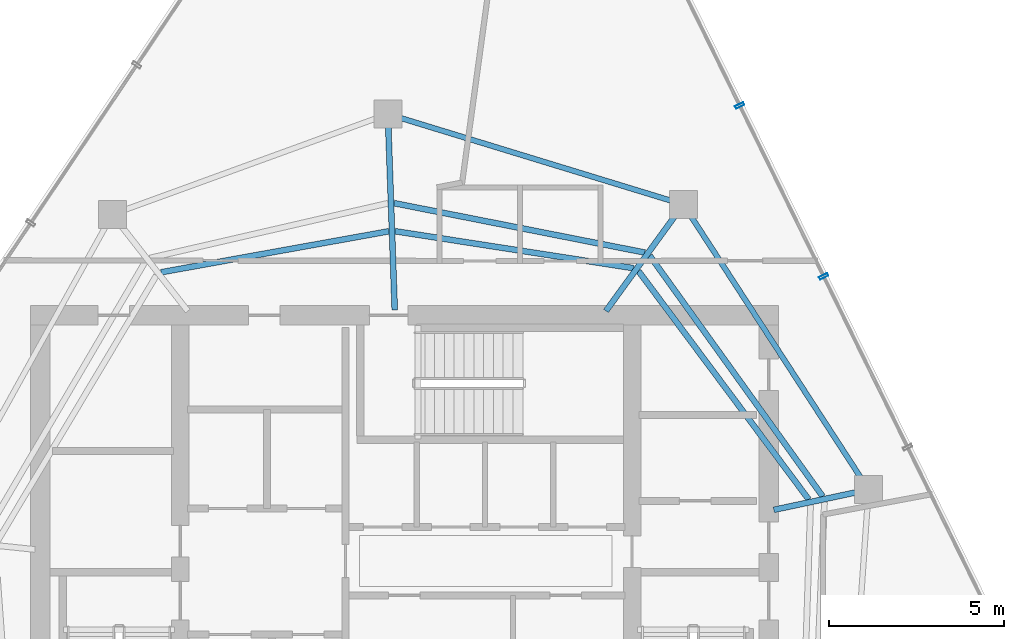
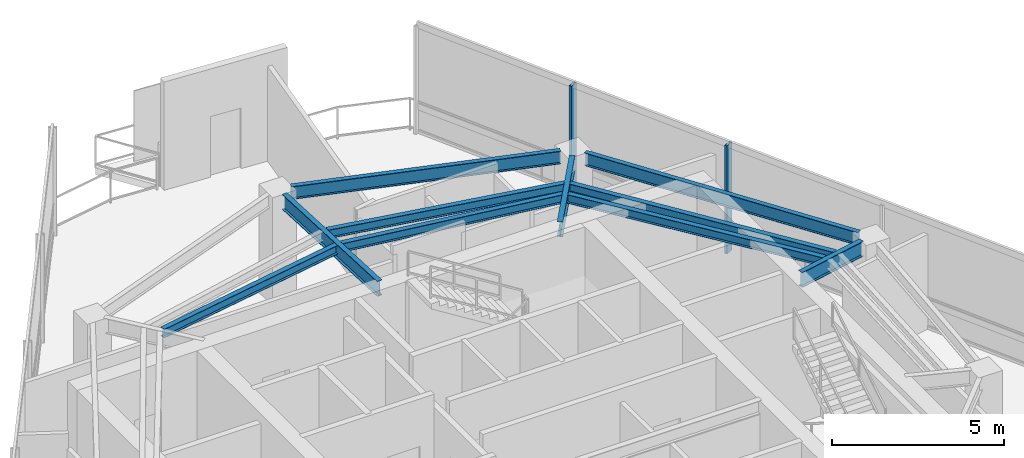
# One storey, part 9 of 18: 10 beams, 2 members, 1 element without a shape of its own.
"""IFC4 building model written with IfcOpenShell, lengths in metres."""

from ifc_helpers import new_model, si_unit, direction, frame, origin, origin_2d, place, context, subcontext, project, spatial, hollow_rectangle, i_section, extrude, material, layer, layer_set, material_profile, profile_set, type_object, element, aggregate, save


model = new_model("IFC4")

# Units and contexts
model_context = context("Model", 3, precision=1e-05, world=origin(), true_north=direction((0.0, 1.0)))
body_context = subcontext(model_context, "Body", "Model", "MODEL_VIEW")
ifc_project = project(units=[si_unit("LENGTHUNIT", "METRE"), si_unit("AREAUNIT", "SQUARE_METRE"), si_unit("VOLUMEUNIT", "CUBIC_METRE"), si_unit("PLANEANGLEUNIT", "RADIAN"), si_unit("MASSUNIT", "GRAM", prefix="KILO")], contexts=[model_context])

# Site, building, storey
site_placement = place(None, origin())
site = spatial("IfcSite", under=ifc_project, at=site_placement, CompositionType="ELEMENT")
building_placement = place(site_placement, origin())
building = spatial("IfcBuilding", under=site, at=building_placement, Name="Qarnah Convention Tower", CompositionType="ELEMENT")
storey_placement = place(building_placement, frame((0.0, 0.0, 279.300048828125)))
storey = spatial("IfcBuildingStorey", under=building, at=storey_placement, Name="L75", CompositionType="ELEMENT", Elevation=279.300048828125)

# Beams
ifc_material_1 = material(Name="Structural steel S355JR", Category="steel")
ifc_material_profile_1 = material_profile(ifc_material_1, i_section(OverallWidth=0.166015625, OverallDepth=0.31201171875, WebThickness=0.007080078125, FlangeThickness=0.010986328125, at=origin_2d()), Name="W310X45")
ifc_profile_set_1 = profile_set([ifc_material_profile_1], Name="Structural steel S355JR")
beam_type_1 = type_object("IfcBeamType", Name="BM-JST-W310", PredefinedType="JOIST", material=ifc_profile_set_1)
beam_1_placement = place(storey_placement, frame((49.14501953125, 29.02294921875, 3.683837890625), z_axis=(-0.58344586601, 0.812152030986, 0.0), x_axis=(-0.812152030986, -0.58344586601, 0.0)))
element("IfcBeam", 1, at=beam_1_placement, inside=storey, type_object=beam_type_1, Name="L75 joist BM-L75-SJST-01", PredefinedType="JOIST", context=body_context, shape_type="SweptSolid", body=[
    extrude(i_section(OverallWidth=0.166015625, OverallDepth=0.31201171875, WebThickness=0.007080078125, FlangeThickness=0.010986328125, at=origin_2d()), origin(), (0.0, 0.0, 1.0), 8.465087890625),
])
beam_2_placement = place(storey_placement, frame((44.06494140625, 35.988037109375, 3.683837890625), z_axis=(-0.98114260341, 0.193285260103, 0.0), x_axis=(-0.193285260103, -0.98114260341, 0.0)))
element("IfcBeam", 2, at=beam_2_placement, inside=storey, type_object=beam_type_1, Name="L75 joist BM-L75-SJST-02", PredefinedType="JOIST", context=body_context, shape_type="SweptSolid", body=[
    extrude(i_section(OverallWidth=0.166015625, OverallDepth=0.31201171875, WebThickness=0.007080078125, FlangeThickness=0.010986328125, at=origin_2d()), origin(), (0.0, 0.0, 1.0), 7.299560546875),
])
beam_3_placement = place(storey_placement, frame((48.7451171875, 28.93701171875, 3.683837890625), z_axis=(-0.597624038881, 0.801776470191, 0.0), x_axis=(-0.801776470191, -0.597624038881, 0.0)))
element("IfcBeam", 3, at=beam_3_placement, inside=storey, type_object=beam_type_1, Name="L75 joist BM-L75-IJST-01", PredefinedType="JOIST", context=body_context, shape_type="SweptSolid", body=[
    extrude(i_section(OverallWidth=0.166015625, OverallDepth=0.31201171875, WebThickness=0.007080078125, FlangeThickness=0.010986328125, at=origin_2d()), origin(), (0.0, 0.0, 1.0), 8.130859375),
])
beam_4_placement = place(storey_placement, frame((43.742919921875, 35.5419921875, 3.683837890625), z_axis=(-0.988191204816, 0.153225790013, 0.0), x_axis=(-0.153225790013, -0.988191204816, 0.0)))
element("IfcBeam", 4, at=beam_4_placement, inside=storey, type_object=beam_type_1, Name="L75 joist BM-L75-IJST-02", PredefinedType="JOIST", context=body_context, shape_type="SweptSolid", body=[
    extrude(i_section(OverallWidth=0.166015625, OverallDepth=0.31201171875, WebThickness=0.007080078125, FlangeThickness=0.010986328125, at=origin_2d()), origin(), (0.0, 0.0, 1.0), 6.89111328125),
])
beam_5_placement = place(storey_placement, frame((36.7548828125, 36.595947265625, 3.683837890625), z_axis=(-0.98417817063, -0.177181625613, 0.0), x_axis=(0.177181625613, -0.98417817063, 0.0)))
element("IfcBeam", 5, at=beam_5_placement, inside=storey, type_object=beam_type_1, Name="L75 joist BM-L75-IJST-03", PredefinedType="JOIST", context=body_context, shape_type="SweptSolid", body=[
    extrude(i_section(OverallWidth=0.166015625, OverallDepth=0.31201171875, WebThickness=0.007080078125, FlangeThickness=0.010986328125, at=origin_2d()), origin(), (0.0, 0.0, 1.0), 6.6083984375),
])
ifc_material_profile_2 = material_profile(ifc_material_1, i_section(OverallWidth=0.166015625, OverallDepth=0.535888671875, WebThickness=0.010009765625, FlangeThickness=0.01708984375, at=origin_2d()), Name="W530X85")
ifc_profile_set_2 = profile_set([ifc_material_profile_2], Name="Structural steel S355JR")
beam_type_2 = type_object("IfcBeamType", Name="BM-RAD-W530B", PredefinedType="BEAM", material=ifc_profile_set_2)
beam_6_placement = place(storey_placement, frame((47.7470703125, 28.64111328125, 3.572021484375), z_axis=(0.978103714349, 0.20811805298, 0.0), x_axis=(-0.20811805298, 0.978103714349, 0.0)))
element("IfcBeam", 6, at=beam_6_placement, inside=storey, type_object=beam_type_2, Name="L75 beam BM-L75-RAD-01", PredefinedType="BEAM", context=body_context, shape_type="SweptSolid", body=[
    extrude(i_section(OverallWidth=0.166015625, OverallDepth=0.535888671875, WebThickness=0.010009765625, FlangeThickness=0.01708984375, at=origin_2d()), origin(), (0.0, 0.0, 1.0), 2.38720703125),
])
beam_7_placement = place(storey_placement, frame((42.955078125, 34.321044921875, 3.572021484375), z_axis=(0.587699029113, 0.809079632162, 0.0), x_axis=(-0.809079632162, 0.587699029113, 0.0)))
element("IfcBeam", 7, at=beam_7_placement, inside=storey, type_object=beam_type_2, Name="L75 beam BM-L75-RAD-02", PredefinedType="BEAM", context=body_context, shape_type="SweptSolid", body=[
    extrude(i_section(OverallWidth=0.166015625, OverallDepth=0.535888671875, WebThickness=0.010009765625, FlangeThickness=0.01708984375, at=origin_2d()), origin(), (0.0, 0.0, 1.0), 3.37890625),
])
beam_8_placement = place(storey_placement, frame((36.923095703125, 34.35009765625, 3.572021484375), z_axis=(-0.035110435588, 0.999383438582, 0.0), x_axis=(-0.999383438582, -0.035110435588, 0.0)))
element("IfcBeam", 8, at=beam_8_placement, inside=storey, type_object=beam_type_2, Name="L75 beam BM-L75-RAD-03", PredefinedType="BEAM", context=body_context, shape_type="SweptSolid", body=[
    extrude(i_section(OverallWidth=0.166015625, OverallDepth=0.535888671875, WebThickness=0.010009765625, FlangeThickness=0.01708984375, at=origin_2d()), origin(), (0.0, 0.0, 1.0), 5.215087890625),
])
ifc_material_profile_3 = material_profile(ifc_material_1, i_section(OverallWidth=0.154052734375, OverallDepth=0.4599609375, WebThickness=0.009033203125, FlangeThickness=0.014892578125, at=origin_2d()), Name="W460X68")
ifc_profile_set_3 = profile_set([ifc_material_profile_3], Name="Structural steel S355JR")
beam_type_3 = type_object("IfcBeamType", Name="BM-SPN-W460B", PredefinedType="SPANDREL", material=ifc_profile_set_3)
beam_9_placement = place(storey_placement, frame((50.241943359375, 29.5439453125, 3.60986328125), z_axis=(-0.544739511184, 0.838605309401, 0.0), x_axis=(-0.838605309401, -0.544739511184, 0.0)))
element("IfcBeam", 9, at=beam_9_placement, inside=storey, type_object=beam_type_3, Name="L75 spandrel BM-L75-SPN-01", PredefinedType="SPANDREL", context=body_context, shape_type="SweptSolid", body=[
    extrude(i_section(OverallWidth=0.154052734375, OverallDepth=0.4599609375, WebThickness=0.009033203125, FlangeThickness=0.014892578125, at=origin_2d()), origin(), (0.0, 0.0, 1.0), 8.9326171875),
])
beam_10_placement = place(storey_placement, frame((44.791015625, 37.47607421875, 3.60986328125), z_axis=(-0.95628886523, 0.292423675918, 0.0), x_axis=(-0.292423675918, -0.95628886523, 0.0)))
element("IfcBeam", 10, at=beam_10_placement, inside=storey, type_object=beam_type_3, Name="L75 spandrel BM-L75-SPN-02", PredefinedType="SPANDREL", context=body_context, shape_type="SweptSolid", body=[
    extrude(i_section(OverallWidth=0.154052734375, OverallDepth=0.4599609375, WebThickness=0.009033203125, FlangeThickness=0.014892578125, at=origin_2d()), origin(), (0.0, 0.0, 1.0), 8.04248046875),
])

# Curtain wall, members
ifc_material_2 = material(Name="Tempered Low-E dark glass", Category="glass")
ifc_layer = layer(ifc_material_2, 0.177978515625)
ifc_layer_set = layer_set([ifc_layer], Name="Tempered Low-E dark glass")
curtain_wall_type = type_object("IfcCurtainWallType", Name="CWS-06", PredefinedType="NOTDEFINED", material=ifc_layer_set)
curtain_wall_placement = place(storey_placement, origin())
curtain_wall = element("IfcCurtainWall", 11, at=curtain_wall_placement, inside=storey, type_object=curtain_wall_type, Name="L75 unitised curtain wall CW-L75-F1", PredefinedType="NOTDEFINED")
ifc_material_3 = material(Name="Black anodised aluminium", Category="aluminium")
ifc_material_profile_4 = material_profile(ifc_material_3, hollow_rectangle(XDim=0.0849609375, YDim=0.260009765625, WallThickness=0.006103515625, at=origin_2d()), Name="MUL-85X260")
ifc_profile_set_4 = profile_set([ifc_material_profile_4], Name="Black anodised aluminium")
member_type = type_object("IfcMemberType", Name="MUL-T6", PredefinedType="MULLION", material=ifc_profile_set_4)
member_1_placement = place(storey_placement, frame((46.773681640625, 40.188720703125, 0.0), z_axis=(0.0, 0.0, 1.0), x_axis=(0.440831090397, -0.8975900789, 0.0)))
member_1 = element("IfcMember", 12, at=member_1_placement, type_object=member_type, Name="CW-L75-F1 mullion 2", PredefinedType="MULLION", context=body_context, shape_type="SweptSolid", body=[
    extrude(hollow_rectangle(XDim=0.0849609375, YDim=0.260009765625, WallThickness=0.006103515625, at=origin_2d()), origin(), (0.0, 0.0, 1.0), 3.83984375),
])
member_2_placement = place(storey_placement, frame((49.170654296875, 35.30859375, 0.0), z_axis=(0.0, 0.0, 1.0), x_axis=(0.440831090397, -0.8975900789, 0.0)))
member_2 = element("IfcMember", 13, at=member_2_placement, type_object=member_type, Name="CW-L75-F1 mullion 3", PredefinedType="MULLION", context=body_context, shape_type="SweptSolid", body=[
    extrude(hollow_rectangle(XDim=0.0849609375, YDim=0.260009765625, WallThickness=0.006103515625, at=origin_2d()), origin(), (0.0, 0.0, 1.0), 3.83984375),
])
aggregate(curtain_wall, [member_1, member_2])

save(model, "model.ifc")
